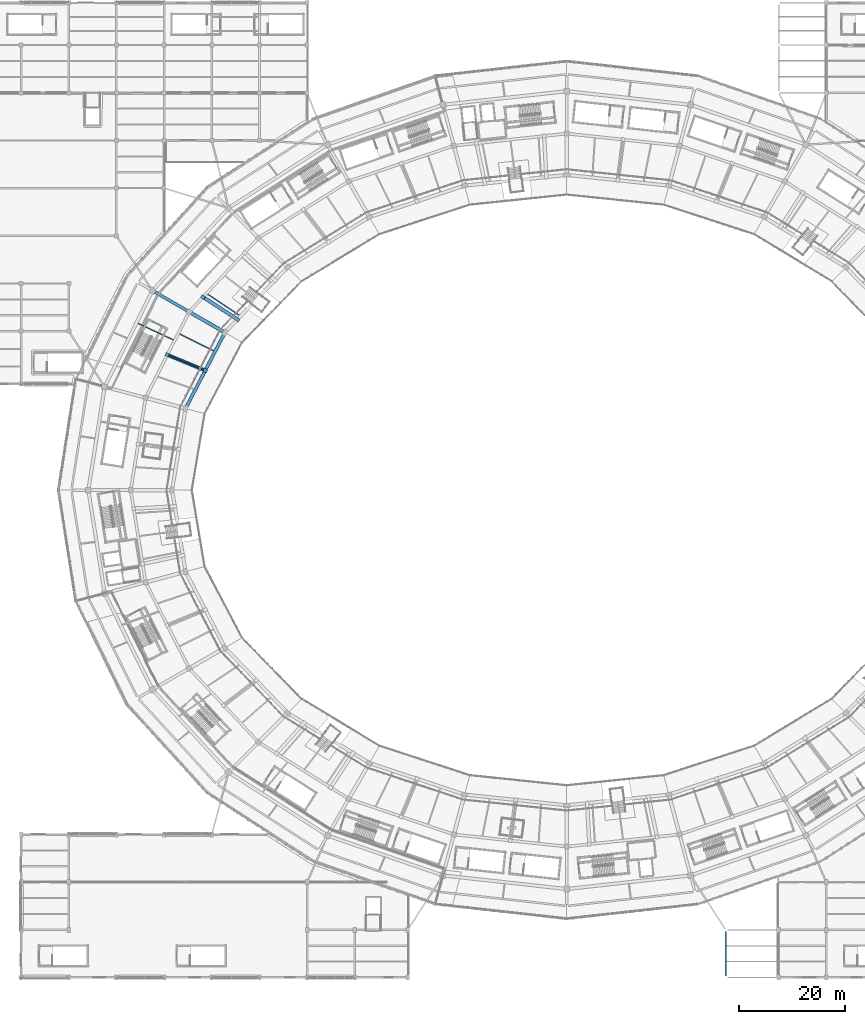
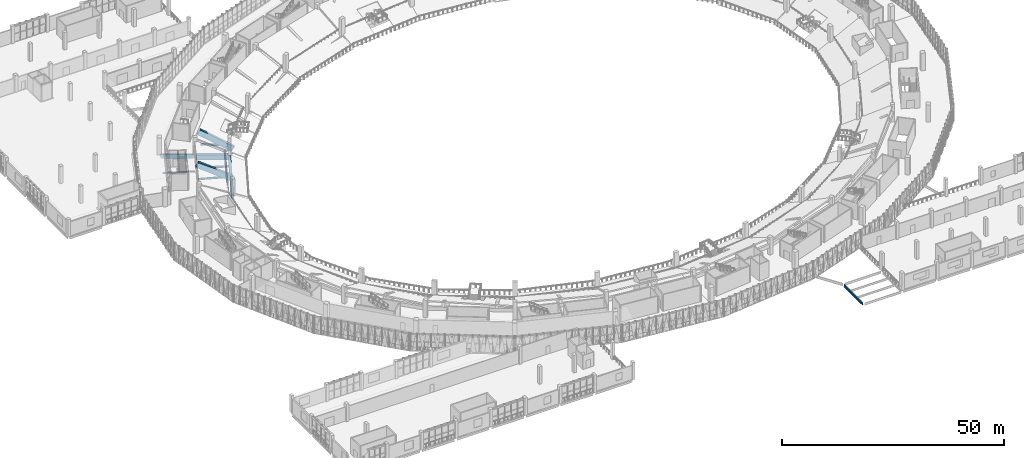
# One storey, part 24 of 152: 10 beams.
"""IFC4 building model written with IfcOpenShell, lengths in metres."""

from ifc_helpers import new_model, si_unit, direction, frame, origin, origin_2d, place, context, subcontext, project, spatial, rectangle, i_section, extrude, material, material_profile, profile_set, type_object, element, save


model = new_model("IFC4")

# Units and contexts
model_context = context("Model", 3, precision=1e-05, world=origin(), true_north=direction((0.0, 1.0)))
body_context = subcontext(model_context, "Body", "Model", "MODEL_VIEW")
ifc_project = project(units=[si_unit("LENGTHUNIT", "METRE"), si_unit("AREAUNIT", "SQUARE_METRE"), si_unit("VOLUMEUNIT", "CUBIC_METRE"), si_unit("PLANEANGLEUNIT", "RADIAN"), si_unit("MASSUNIT", "GRAM", prefix="KILO")], contexts=[model_context])

# Site, building, storey
site_placement = place(None, origin())
site = spatial("IfcSite", under=ifc_project, at=site_placement, CompositionType="ELEMENT")
building_placement = place(site_placement, origin())
building = spatial("IfcBuilding", under=site, at=building_placement, Name="Zevraka Park Crest Stadium", CompositionType="ELEMENT")
storey_placement = place(building_placement, frame((0.0, 0.0, 15.0)))
storey = spatial("IfcBuildingStorey", under=building, at=storey_placement, Name="L03", CompositionType="ELEMENT", Elevation=15.0)

# Beams
ifc_material_1 = material(Name="Concrete C40/50", Category="concrete")
ifc_material_profile_1 = material_profile(ifc_material_1, rectangle(XDim=0.64990234375, YDim=1.35009765625, at=origin_2d()), Name="RC 1350x650")
ifc_profile_set_1 = profile_set([ifc_material_profile_1], Name="Concrete C40/50")
beam_type_1 = type_object("IfcBeamType", Name="BG01", PredefinedType="BEAM", material=ifc_profile_set_1)
beam_1_placement = place(storey_placement, frame((47.220947265625, 121.89990234375, -0.68505859375), z_axis=(-0.866001485781, 0.500041424909, 0.0), x_axis=(-0.500041424909, -0.866001485781, 0.0)))
element("IfcBeam", 1, at=beam_1_placement, inside=storey, type_object=beam_type_1, Name="Radial Girder BG01 L03-BC-10", PredefinedType="BEAM", context=body_context, shape_type="SweptSolid", body=[
    extrude(rectangle(XDim=0.64990234375, YDim=1.35009765625, at=origin_2d()), origin(), (0.0, 0.0, 1.0), 7.19970703125),
])
ifc_material_2 = material(Name="Concrete C40/50", Category="concrete")
ifc_material_profile_2 = material_profile(ifc_material_2, rectangle(XDim=0.550048828125, YDim=1.10009765625, at=origin_2d()), Name="RC 1100x550")
ifc_profile_set_2 = profile_set([ifc_material_profile_2], Name="Concrete C40/50")
beam_type_2 = type_object("IfcBeamType", Name="BG02", PredefinedType="BEAM", material=ifc_profile_set_2)
beam_2_placement = place(storey_placement, frame((40.466064453125, 125.800048828125, -0.56005859375), z_axis=(-0.86600700885, 0.500031859608, 0.0), x_axis=(-0.500031859608, -0.86600700885, 0.0)))
element("IfcBeam", 2, at=beam_2_placement, inside=storey, type_object=beam_type_2, Name="Radial Girder BG02 L03-CD-10", PredefinedType="BEAM", context=body_context, shape_type="SweptSolid", body=[
    extrude(rectangle(XDim=0.550048828125, YDim=1.10009765625, at=origin_2d()), origin(), (0.0, 0.0, 1.0), 7.3994140625),
])
ifc_material_3 = material(Name="Steel S355", Category="steel")
ifc_material_profile_3 = material_profile(ifc_material_3, i_section(OverallWidth=0.300048828125, OverallDepth=0.64990234375, WebThickness=0.01611328125, FlangeThickness=0.031005859375, at=origin_2d()), Name="HEB 650")
ifc_profile_set_3 = profile_set([ifc_material_profile_3], Name="Steel S355")
beam_type_3 = type_object("IfcBeamType", Name="BG07", PredefinedType="BEAM", material=ifc_profile_set_3)
beam_3_placement = place(storey_placement, frame((142.0, 0.300048828125, -0.633056640625), z_axis=(0.0, 1.0, 0.0), x_axis=(-1.0, 0.0, 0.0)))
element("IfcBeam", 3, at=beam_3_placement, inside=storey, type_object=beam_type_3, Name="Wing Girder BG07 L03-16/AB", PredefinedType="BEAM", context=body_context, shape_type="SweptSolid", body=[
    extrude(i_section(OverallWidth=0.300048828125, OverallDepth=0.64990234375, WebThickness=0.01611328125, FlangeThickness=0.031005859375, at=origin_2d()), origin(), (0.0, 0.0, 1.0), 8.39990234375),
])
ifc_material_4 = material(Name="Concrete C40/50", Category="concrete")
ifc_material_profile_4 = material_profile(ifc_material_4, rectangle(XDim=0.60009765625, YDim=1.199951171875, at=origin_2d()), Name="RC 1200x600")
ifc_profile_set_4 = profile_set([ifc_material_profile_4], Name="Concrete C40/50")
beam_type_4 = type_object("IfcBeamType", Name="RB01", PredefinedType="BEAM", material=ifc_profile_set_4)
beam_4_placement = place(storey_placement, frame((47.305908203125, 121.4130859375, -0.610107421875), z_axis=(-0.460343993973, -0.887740619333, 0.0), x_axis=(0.887740619333, -0.460343993973, 0.0)))
element("IfcBeam", 4, at=beam_4_placement, inside=storey, type_object=beam_type_4, Name="Ring Beam RB01 L03-B-10", PredefinedType="BEAM", context=body_context, shape_type="SweptSolid", body=[
    extrude(rectangle(XDim=0.60009765625, YDim=1.199951171875, at=origin_2d()), origin(), (0.0, 0.0, 1.0), 15.405517578125),
])
ifc_material_5 = material(Name="Concrete C40/50", Category="concrete")
ifc_material_profile_5 = material_profile(ifc_material_5, rectangle(XDim=0.64990234375, YDim=1.5, at=origin_2d()), Name="RC 1500x650")
ifc_profile_set_5 = profile_set([ifc_material_profile_5], Name="Concrete C40/50")
beam_type_5 = type_object("IfcBeamType", Name="RK02", PredefinedType="BEAM", material=ifc_profile_set_5)
beam_5_placement = place(storey_placement, frame((49.84912109375, 124.215087890625, -0.800048828125), z_axis=(-0.730439042209, 0.474033096203, 0.49168224426), x_axis=(-0.544380881233, -0.838838158496, 0.0)))
element("IfcBeam", 5, at=beam_5_placement, inside=storey, type_object=beam_type_5, Name="Upper Bowl Main Raker Girder RK02 09-2", PredefinedType="BEAM", context=body_context, shape_type="SweptSolid", body=[
    extrude(rectangle(XDim=0.64990234375, YDim=1.5, at=origin_2d()), origin(), (0.0, 0.0, 1.0), 8.908447265625),
])
beam_6_placement = place(storey_placement, frame((43.760009765625, 114.574951171875, -0.800048828125), z_axis=(-0.803886737331, 0.333025449443, 0.492808445105), x_axis=(-0.38272724096, -0.92386138518, 0.0)))
element("IfcBeam", 6, at=beam_6_placement, inside=storey, type_object=beam_type_5, Name="Upper Bowl Main Raker Girder RK02 10", PredefinedType="BEAM", context=body_context, shape_type="SweptSolid", body=[
    extrude(rectangle(XDim=0.64990234375, YDim=1.5, at=origin_2d()), origin(), (0.0, 0.0, 1.0), 8.88818359375),
])
ifc_material_6 = material(Name="Steel S355", Category="steel")
ifc_material_profile_6 = material_profile(ifc_material_6, i_section(OverallWidth=0.179931640625, OverallDepth=0.39990234375, WebThickness=0.008544921875, FlangeThickness=0.013427734375, at=origin_2d()), Name="IPE 400")
ifc_profile_set_6 = profile_set([ifc_material_profile_6], Name="Steel S355")
beam_type_6 = type_object("IfcBeamType", Name="SJ09", PredefinedType="JOIST", material=ifc_profile_set_6)
beam_7_placement = place(storey_placement, frame((37.762939453125, 120.343017578125, -0.508056640625), z_axis=(-0.906183982971, 0.42288365895, 0.0), x_axis=(-0.42288365895, -0.906183982971, 0.0)))
element("IfcBeam", 7, at=beam_7_placement, inside=storey, type_object=beam_type_6, Name="Floor Joist SJ09 L03-CD-10-1", PredefinedType="JOIST", context=body_context, shape_type="SweptSolid", body=[
    extrude(i_section(OverallWidth=0.179931640625, OverallDepth=0.39990234375, WebThickness=0.008544921875, FlangeThickness=0.013427734375, at=origin_2d()), origin(), (0.0, 0.0, 1.0), 7.39892578125),
])
ifc_material_7 = material(Name="Steel S355", Category="steel")
ifc_material_profile_7 = material_profile(ifc_material_7, i_section(OverallWidth=0.199951171875, OverallDepth=0.5, WebThickness=0.01025390625, FlangeThickness=0.01611328125, at=origin_2d()), Name="IPE 500")
ifc_profile_set_7 = profile_set([ifc_material_profile_7], Name="Steel S355")
beam_type_7 = type_object("IfcBeamType", Name="SJ10", PredefinedType="JOIST", material=ifc_profile_set_7)
beam_8_placement = place(storey_placement, frame((50.178955078125, 125.006103515625, -0.55810546875), z_axis=(-0.831668706104, 0.55527215245, 0.0), x_axis=(-0.55527215245, -0.831668706104, 0.0)))
element("IfcBeam", 8, at=beam_8_placement, inside=storey, type_object=beam_type_7, Name="Floor Joist SJ10 L03-BC-09-3", PredefinedType="JOIST", context=body_context, shape_type="SweptSolid", body=[
    extrude(i_section(OverallWidth=0.199951171875, OverallDepth=0.5, WebThickness=0.01025390625, FlangeThickness=0.01611328125, at=origin_2d()), origin(), (0.0, 0.0, 1.0), 7.189208984375),
])
beam_9_placement = place(storey_placement, frame((45.337890625, 118.302001953125, -0.55810546875), z_axis=(-0.89675774001, 0.442521813849, 0.0), x_axis=(-0.442521813849, -0.89675774001, 0.0)))
element("IfcBeam", 9, at=beam_9_placement, inside=storey, type_object=beam_type_7, Name="Floor Joist SJ10 L03-BC-10-1", PredefinedType="JOIST", context=body_context, shape_type="SweptSolid", body=[
    extrude(i_section(OverallWidth=0.199951171875, OverallDepth=0.5, WebThickness=0.01025390625, FlangeThickness=0.01611328125, at=origin_2d()), origin(), (0.0, 0.0, 1.0), 7.1904296875),
])
beam_10_placement = place(storey_placement, frame((43.468994140625, 114.696044921875, -0.55810546875), z_axis=(-0.923904434651, 0.382623307749, 0.0), x_axis=(-0.382623307749, -0.923904434651, 0.0)))
element("IfcBeam", 10, at=beam_10_placement, inside=storey, type_object=beam_type_7, Name="Floor Joist SJ10 L03-BC-10-2", PredefinedType="JOIST", context=body_context, shape_type="SweptSolid", body=[
    extrude(i_section(OverallWidth=0.199951171875, OverallDepth=0.5, WebThickness=0.01025390625, FlangeThickness=0.01611328125, at=origin_2d()), origin(), (0.0, 0.0, 1.0), 7.173828125),
])

save(model, "model.ifc")
